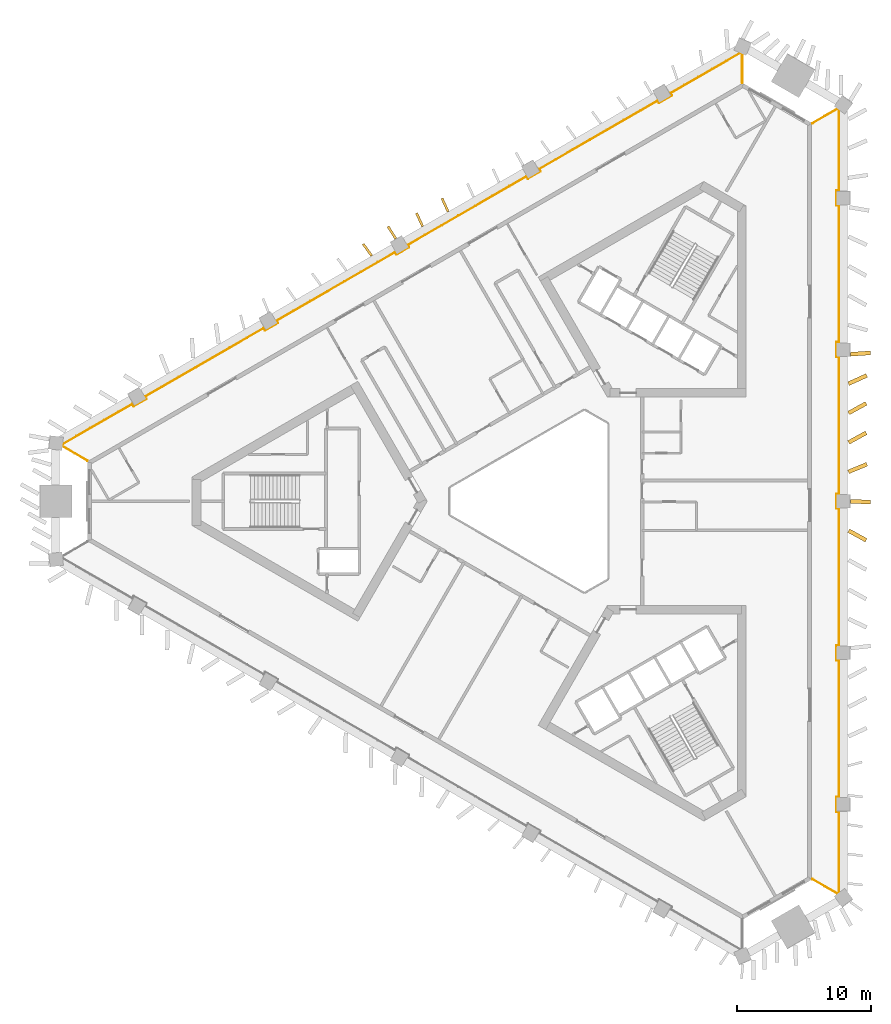
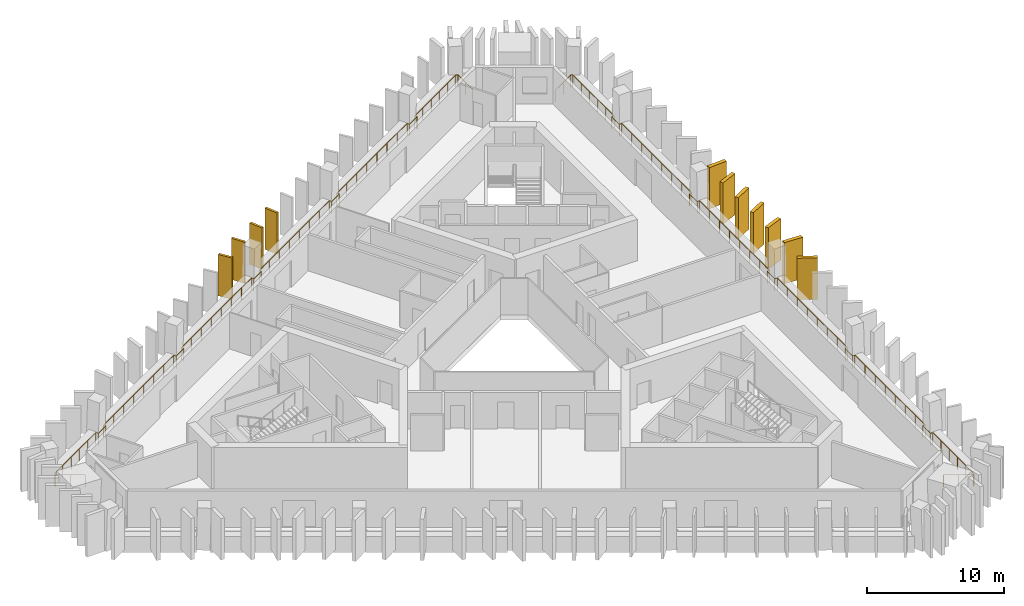
# One storey, part 9 of 10: 11 shading devices, 2 railings.
"""IFC4 building model written with IfcOpenShell, lengths in metres."""

from ifc_helpers import new_model, si_unit, direction, frame, frame_2d, origin, origin_2d, place, context, subcontext, project, spatial, rectangle, circle, extrude, material, layer, layer_set, type_object, element, save


model = new_model("IFC4")

# Units and contexts
model_context = context("Model", 3, precision=1e-05, world=origin(), true_north=direction((0.0, 1.0)))
body_context = subcontext(model_context, "Body", "Model", "MODEL_VIEW")
ifc_project = project(units=[si_unit("LENGTHUNIT", "METRE"), si_unit("AREAUNIT", "SQUARE_METRE"), si_unit("VOLUMEUNIT", "CUBIC_METRE"), si_unit("PLANEANGLEUNIT", "RADIAN"), si_unit("MASSUNIT", "GRAM", prefix="KILO")], contexts=[model_context])

# Site, building, storey
site_placement = place(None, origin())
site = spatial("IfcSite", under=ifc_project, at=site_placement, CompositionType="ELEMENT")
building_placement = place(site_placement, origin())
building = spatial("IfcBuilding", under=site, at=building_placement, Name="Jabali Bay Hotel Tower and Convention Centre", CompositionType="ELEMENT")
storey_placement = place(building_placement, frame((0.0, 0.0, 121.60009765625)))
storey = spatial("IfcBuildingStorey", under=building, at=storey_placement, Name="L29", CompositionType="ELEMENT", Elevation=121.60009765625)

# Railings
ifc_material_1 = material(Name="Glass", Category="glass")
railing_type = type_object("IfcRailingType", Name="Loggia glass guard 1100", PredefinedType="BALUSTRADE", material=ifc_material_1)
railing_1_placement = place(storey_placement, frame((94.8505859375, 108.311767578125, 0.0)))
element("IfcRailing", 1, at=railing_1_placement, inside=storey, type_object=railing_type, Name="Loggia glass guard L29", PredefinedType="BALUSTRADE", context=body_context, shape_type="SweptSolid", body=[
    extrude(circle(Radius=0.02490234375, at=origin_2d()), frame((0.0, 0.0, 1.0751953125), z_axis=(0.866007213464, 0.500031505235, 0.0), x_axis=(-0.495753666391, 0.858598401702, 0.13052619222)), (0.0, 0.0, 1.0), 2.165283203125),
    extrude(circle(Radius=0.02490234375, at=origin_2d()), frame((1.875244140625, 1.082763671875, 1.0751953125), z_axis=(0.800939455023, -0.598745346025, 0.0), x_axis=(0.593622996588, 0.794087306954, 0.13052619222)), (0.0, 0.0, 1.0), 0.15576171875),
    extrude(circle(Radius=0.02490234375, at=origin_2d()), frame((2.0, 0.989501953125, 1.0751953125), z_axis=(0.0, -1.0, 0.0), x_axis=(0.991444861374, 0.0, 0.13052619222)), (0.0, 0.0, 1.0), 6.02490234375),
    extrude(circle(Radius=0.02490234375, at=origin_2d()), frame((2.0, -5.035400390625, 1.0751953125), z_axis=(-1.0, 0.0, 0.0), x_axis=(0.0, -0.991444861374, 0.13052619222)), (0.0, 0.0, 1.0), 0.199951171875),
    extrude(circle(Radius=0.02490234375, at=origin_2d()), frame((1.800048828125, -5.035400390625, 1.0751953125), z_axis=(0.0, -1.0, 0.0), x_axis=(0.991444861374, 0.0, 0.13052619222)), (0.0, 0.0, 1.0), 1.10009765625),
    extrude(circle(Radius=0.02490234375, at=origin_2d()), frame((1.800048828125, -6.135498046875, 1.0751953125), z_axis=(1.0, 0.0, 0.0), x_axis=(0.0, 0.991444861374, 0.13052619222)), (0.0, 0.0, 1.0), 0.199951171875),
    extrude(circle(Radius=0.02490234375, at=origin_2d()), frame((2.0, -6.135498046875, 1.0751953125), z_axis=(0.0, -1.0, 0.0), x_axis=(0.991444861374, 0.0, 0.13052619222)), (0.0, 0.0, 1.0), 10.26318359375),
    extrude(circle(Radius=0.02490234375, at=origin_2d()), frame((2.0, -16.398681640625, 1.0751953125), z_axis=(-1.0, 0.0, 0.0), x_axis=(0.0, -0.991444861374, 0.13052619222)), (0.0, 0.0, 1.0), 0.199951171875),
    extrude(circle(Radius=0.02490234375, at=origin_2d()), frame((1.800048828125, -16.398681640625, 1.0751953125), z_axis=(0.0, -1.0, 0.0), x_axis=(0.991444861374, 0.0, 0.13052619222)), (0.0, 0.0, 1.0), 1.099853515625),
    extrude(circle(Radius=0.02490234375, at=origin_2d()), frame((1.800048828125, -17.49853515625, 1.0751953125), z_axis=(1.0, 0.0, 0.0), x_axis=(0.0, 0.991444861374, 0.13052619222)), (0.0, 0.0, 1.0), 0.199951171875),
    extrude(circle(Radius=0.02490234375, at=origin_2d()), frame((2.0, -17.49853515625, 1.0751953125), z_axis=(0.0, -1.0, 0.0), x_axis=(0.991444861374, 0.0, 0.13052619222)), (0.0, 0.0, 1.0), 10.26318359375),
    extrude(circle(Radius=0.02490234375, at=origin_2d()), frame((2.0, -27.76171875, 1.0751953125), z_axis=(-1.0, 0.0, 0.0), x_axis=(0.0, -0.991444861374, 0.13052619222)), (0.0, 0.0, 1.0), 0.199951171875),
    extrude(circle(Radius=0.02490234375, at=origin_2d()), frame((1.800048828125, -27.76171875, 1.0751953125), z_axis=(0.0, -1.0, 0.0), x_axis=(0.991444861374, 0.0, 0.13052619222)), (0.0, 0.0, 1.0), 1.10009765625),
    extrude(circle(Radius=0.02490234375, at=origin_2d()), frame((1.800048828125, -28.86181640625, 1.0751953125), z_axis=(1.0, 0.0, 0.0), x_axis=(0.0, 0.991444861374, 0.13052619222)), (0.0, 0.0, 1.0), 0.199951171875),
    extrude(circle(Radius=0.02490234375, at=origin_2d()), frame((2.0, -28.86181640625, 1.0751953125), z_axis=(0.0, -1.0, 0.0), x_axis=(0.991444861374, 0.0, 0.13052619222)), (0.0, 0.0, 1.0), 10.26318359375),
    extrude(circle(Radius=0.02490234375, at=origin_2d()), frame((2.0, -39.125, 1.0751953125), z_axis=(-1.0, 0.0, 0.0), x_axis=(0.0, -0.991444861374, 0.13052619222)), (0.0, 0.0, 1.0), 0.199951171875),
    extrude(circle(Radius=0.02490234375, at=origin_2d()), frame((1.800048828125, -39.125, 1.0751953125), z_axis=(0.0, -1.0, 0.0), x_axis=(0.991444861374, 0.0, 0.13052619222)), (0.0, 0.0, 1.0), 1.099853515625),
    extrude(circle(Radius=0.02490234375, at=origin_2d()), frame((1.800048828125, -40.224853515625, 1.0751953125), z_axis=(1.0, 0.0, 0.0), x_axis=(0.0, 0.991444861374, 0.13052619222)), (0.0, 0.0, 1.0), 0.199951171875),
    extrude(circle(Radius=0.02490234375, at=origin_2d()), frame((2.0, -40.224853515625, 1.0751953125), z_axis=(0.0, -1.0, 0.0), x_axis=(0.991444861374, 0.0, 0.13052619222)), (0.0, 0.0, 1.0), 10.26318359375),
    extrude(circle(Radius=0.02490234375, at=origin_2d()), frame((2.0, -50.488037109375, 1.0751953125), z_axis=(-1.0, 0.0, 0.0), x_axis=(0.0, -0.991444861374, 0.13052619222)), (0.0, 0.0, 1.0), 0.199951171875),
    extrude(circle(Radius=0.02490234375, at=origin_2d()), frame((1.800048828125, -50.488037109375, 1.0751953125), z_axis=(0.0, -1.0, 0.0), x_axis=(0.991444861374, 0.0, 0.13052619222)), (0.0, 0.0, 1.0), 1.10009765625),
    extrude(circle(Radius=0.02490234375, at=origin_2d()), frame((1.800048828125, -51.588134765625, 1.0751953125), z_axis=(1.0, 0.0, 0.0), x_axis=(0.0, 0.991444861374, 0.13052619222)), (0.0, 0.0, 1.0), 0.199951171875),
    extrude(circle(Radius=0.02490234375, at=origin_2d()), frame((2.0, -51.588134765625, 1.0751953125), z_axis=(0.0, -1.0, 0.0), x_axis=(0.991444861374, 0.0, 0.13052619222)), (0.0, 0.0, 1.0), 6.02490234375),
    extrude(circle(Radius=0.02490234375, at=origin_2d()), frame((2.0, -57.613037109375, 1.0751953125), z_axis=(-0.800939455023, -0.598745346025, 0.0), x_axis=(0.593622996588, -0.794087306954, 0.13052619222)), (0.0, 0.0, 1.0), 0.15576171875),
    extrude(circle(Radius=0.02490234375, at=origin_2d()), frame((1.875244140625, -57.706298828125, 1.0751953125), z_axis=(-0.866007213464, 0.500031505235, 0.0), x_axis=(-0.495753666391, -0.858598401702, 0.13052619222)), (0.0, 0.0, 1.0), 2.165283203125),
    extrude(circle(Radius=0.02001953125, at=origin_2d()), origin(), (0.0, 0.0, 1.0), 1.050048828125),
    extrude(circle(Radius=0.02001953125, at=origin_2d()), frame((0.9375, 0.54150390625, 0.0)), (0.0, 0.0, 1.0), 1.050048828125),
    extrude(circle(Radius=0.02001953125, at=origin_2d()), frame((1.875244140625, 1.082763671875, 0.0)), (0.0, 0.0, 1.0), 1.050048828125),
    extrude(circle(Radius=0.02001953125, at=origin_2d()), frame((2.0, 0.989501953125, 0.0)), (0.0, 0.0, 1.0), 1.050048828125),
    extrude(circle(Radius=0.02001953125, at=origin_2d()), frame((2.0, -0.215576171875, 0.0)), (0.0, 0.0, 1.0), 1.050048828125),
    extrude(circle(Radius=0.02001953125, at=origin_2d()), frame((2.0, -1.42041015625, 0.0)), (0.0, 0.0, 1.0), 1.050048828125),
    extrude(circle(Radius=0.02001953125, at=origin_2d()), frame((2.0, -2.62548828125, 0.0)), (0.0, 0.0, 1.0), 1.050048828125),
    extrude(circle(Radius=0.02001953125, at=origin_2d()), frame((2.0, -3.830322265625, 0.0)), (0.0, 0.0, 1.0), 1.050048828125),
    extrude(circle(Radius=0.02001953125, at=origin_2d()), frame((2.0, -5.035400390625, 0.0)), (0.0, 0.0, 1.0), 1.050048828125),
    extrude(circle(Radius=0.02001953125, at=origin_2d()), frame((1.800048828125, -5.035400390625, 0.0)), (0.0, 0.0, 1.0), 1.050048828125),
    extrude(circle(Radius=0.02001953125, at=origin_2d()), frame((1.800048828125, -6.135498046875, 0.0)), (0.0, 0.0, 1.0), 1.050048828125),
    extrude(circle(Radius=0.02001953125, at=origin_2d()), frame((2.0, -6.135498046875, 0.0)), (0.0, 0.0, 1.0), 1.050048828125),
    extrude(circle(Radius=0.02001953125, at=origin_2d()), frame((2.0, -7.6015625, 0.0)), (0.0, 0.0, 1.0), 1.050048828125),
    extrude(circle(Radius=0.02001953125, at=origin_2d()), frame((2.0, -9.06787109375, 0.0)), (0.0, 0.0, 1.0), 1.050048828125),
    extrude(circle(Radius=0.02001953125, at=origin_2d()), frame((2.0, -10.533935546875, 0.0)), (0.0, 0.0, 1.0), 1.050048828125),
    extrude(circle(Radius=0.02001953125, at=origin_2d()), frame((2.0, -12.000244140625, 0.0)), (0.0, 0.0, 1.0), 1.050048828125),
    extrude(circle(Radius=0.02001953125, at=origin_2d()), frame((2.0, -13.46630859375, 0.0)), (0.0, 0.0, 1.0), 1.050048828125),
    extrude(circle(Radius=0.02001953125, at=origin_2d()), frame((2.0, -14.9326171875, 0.0)), (0.0, 0.0, 1.0), 1.050048828125),
    extrude(circle(Radius=0.02001953125, at=origin_2d()), frame((2.0, -16.398681640625, 0.0)), (0.0, 0.0, 1.0), 1.050048828125),
    extrude(circle(Radius=0.02001953125, at=origin_2d()), frame((1.800048828125, -16.398681640625, 0.0)), (0.0, 0.0, 1.0), 1.050048828125),
    extrude(circle(Radius=0.02001953125, at=origin_2d()), frame((1.800048828125, -17.49853515625, 0.0)), (0.0, 0.0, 1.0), 1.050048828125),
    extrude(circle(Radius=0.02001953125, at=origin_2d()), frame((2.0, -17.49853515625, 0.0)), (0.0, 0.0, 1.0), 1.050048828125),
    extrude(circle(Radius=0.02001953125, at=origin_2d()), frame((2.0, -18.964599609375, 0.0)), (0.0, 0.0, 1.0), 1.050048828125),
    extrude(circle(Radius=0.02001953125, at=origin_2d()), frame((2.0, -20.430908203125, 0.0)), (0.0, 0.0, 1.0), 1.050048828125),
    extrude(circle(Radius=0.02001953125, at=origin_2d()), frame((2.0, -21.89697265625, 0.0)), (0.0, 0.0, 1.0), 1.050048828125),
    extrude(circle(Radius=0.02001953125, at=origin_2d()), frame((2.0, -23.36328125, 0.0)), (0.0, 0.0, 1.0), 1.050048828125),
    extrude(circle(Radius=0.02001953125, at=origin_2d()), frame((2.0, -24.829345703125, 0.0)), (0.0, 0.0, 1.0), 1.050048828125),
    extrude(circle(Radius=0.02001953125, at=origin_2d()), frame((2.0, -26.295654296875, 0.0)), (0.0, 0.0, 1.0), 1.050048828125),
    extrude(circle(Radius=0.02001953125, at=origin_2d()), frame((2.0, -27.76171875, 0.0)), (0.0, 0.0, 1.0), 1.050048828125),
    extrude(circle(Radius=0.02001953125, at=origin_2d()), frame((1.800048828125, -27.76171875, 0.0)), (0.0, 0.0, 1.0), 1.050048828125),
    extrude(circle(Radius=0.02001953125, at=origin_2d()), frame((1.800048828125, -28.86181640625, 0.0)), (0.0, 0.0, 1.0), 1.050048828125),
    extrude(circle(Radius=0.02001953125, at=origin_2d()), frame((2.0, -28.86181640625, 0.0)), (0.0, 0.0, 1.0), 1.050048828125),
    extrude(circle(Radius=0.02001953125, at=origin_2d()), frame((2.0, -30.327880859375, 0.0)), (0.0, 0.0, 1.0), 1.050048828125),
    extrude(circle(Radius=0.02001953125, at=origin_2d()), frame((2.0, -31.794189453125, 0.0)), (0.0, 0.0, 1.0), 1.050048828125),
    extrude(circle(Radius=0.02001953125, at=origin_2d()), frame((2.0, -33.26025390625, 0.0)), (0.0, 0.0, 1.0), 1.050048828125),
    extrude(circle(Radius=0.02001953125, at=origin_2d()), frame((2.0, -34.7265625, 0.0)), (0.0, 0.0, 1.0), 1.050048828125),
    extrude(circle(Radius=0.02001953125, at=origin_2d()), frame((2.0, -36.192626953125, 0.0)), (0.0, 0.0, 1.0), 1.050048828125),
    extrude(circle(Radius=0.02001953125, at=origin_2d()), frame((2.0, -37.658935546875, 0.0)), (0.0, 0.0, 1.0), 1.050048828125),
    extrude(circle(Radius=0.02001953125, at=origin_2d()), frame((2.0, -39.125, 0.0)), (0.0, 0.0, 1.0), 1.050048828125),
    extrude(circle(Radius=0.02001953125, at=origin_2d()), frame((1.800048828125, -39.125, 0.0)), (0.0, 0.0, 1.0), 1.050048828125),
    extrude(circle(Radius=0.02001953125, at=origin_2d()), frame((1.800048828125, -40.224853515625, 0.0)), (0.0, 0.0, 1.0), 1.050048828125),
    extrude(circle(Radius=0.02001953125, at=origin_2d()), frame((2.0, -40.224853515625, 0.0)), (0.0, 0.0, 1.0), 1.050048828125),
    extrude(circle(Radius=0.02001953125, at=origin_2d()), frame((2.0, -41.69091796875, 0.0)), (0.0, 0.0, 1.0), 1.050048828125),
    extrude(circle(Radius=0.02001953125, at=origin_2d()), frame((2.0, -43.1572265625, 0.0)), (0.0, 0.0, 1.0), 1.050048828125),
    extrude(circle(Radius=0.02001953125, at=origin_2d()), frame((2.0, -44.623291015625, 0.0)), (0.0, 0.0, 1.0), 1.050048828125),
    extrude(circle(Radius=0.02001953125, at=origin_2d()), frame((2.0, -46.089599609375, 0.0)), (0.0, 0.0, 1.0), 1.050048828125),
    extrude(circle(Radius=0.02001953125, at=origin_2d()), frame((2.0, -47.5556640625, 0.0)), (0.0, 0.0, 1.0), 1.050048828125),
    extrude(circle(Radius=0.02001953125, at=origin_2d()), frame((2.0, -49.02197265625, 0.0)), (0.0, 0.0, 1.0), 1.050048828125),
    extrude(circle(Radius=0.02001953125, at=origin_2d()), frame((2.0, -50.488037109375, 0.0)), (0.0, 0.0, 1.0), 1.050048828125),
    extrude(circle(Radius=0.02001953125, at=origin_2d()), frame((1.800048828125, -50.488037109375, 0.0)), (0.0, 0.0, 1.0), 1.050048828125),
    extrude(circle(Radius=0.02001953125, at=origin_2d()), frame((1.800048828125, -51.588134765625, 0.0)), (0.0, 0.0, 1.0), 1.050048828125),
    extrude(circle(Radius=0.02001953125, at=origin_2d()), frame((2.0, -51.588134765625, 0.0)), (0.0, 0.0, 1.0), 1.050048828125),
    extrude(circle(Radius=0.02001953125, at=origin_2d()), frame((2.0, -52.793212890625, 0.0)), (0.0, 0.0, 1.0), 1.050048828125),
    extrude(circle(Radius=0.02001953125, at=origin_2d()), frame((2.0, -53.998046875, 0.0)), (0.0, 0.0, 1.0), 1.050048828125),
    extrude(circle(Radius=0.02001953125, at=origin_2d()), frame((2.0, -55.203125, 0.0)), (0.0, 0.0, 1.0), 1.050048828125),
    extrude(circle(Radius=0.02001953125, at=origin_2d()), frame((2.0, -56.407958984375, 0.0)), (0.0, 0.0, 1.0), 1.050048828125),
    extrude(circle(Radius=0.02001953125, at=origin_2d()), frame((2.0, -57.613037109375, 0.0)), (0.0, 0.0, 1.0), 1.050048828125),
    extrude(circle(Radius=0.02001953125, at=origin_2d()), frame((1.875244140625, -57.706298828125, 0.0)), (0.0, 0.0, 1.0), 1.050048828125),
    extrude(circle(Radius=0.02001953125, at=origin_2d()), frame((0.9375, -57.1650390625, 0.0)), (0.0, 0.0, 1.0), 1.050048828125),
    extrude(circle(Radius=0.02001953125, at=origin_2d()), frame((0.0, -56.62353515625, 0.0)), (0.0, 0.0, 1.0), 1.050048828125),
])
railing_2_placement = place(storey_placement, frame((40.555908203125, 83.035400390625, 0.0)))
element("IfcRailing", 2, at=railing_2_placement, inside=storey, type_object=railing_type, Name="Loggia glass guard L29", PredefinedType="BALUSTRADE", context=body_context, shape_type="SweptSolid", body=[
    extrude(circle(Radius=0.02490234375, at=origin_2d()), frame((0.0, 0.0, 1.0751953125), z_axis=(-0.866056034881, 0.49994694163, 0.0), x_axis=(-0.495669826239, -0.858646805445, 0.13052619222)), (0.0, 0.0, 1.0), 2.165283203125),
    extrude(circle(Radius=0.02490234375, at=origin_2d()), frame((-1.875244140625, 1.08251953125, 1.0751953125), z_axis=(0.117477392411, 0.993075557182, 0.0), x_axis=(-0.984579658124, 0.116472357034, 0.13052619222)), (0.0, 0.0, 1.0), 0.15576171875),
    extrude(circle(Radius=0.02490234375, at=origin_2d()), frame((-1.85693359375, 1.2373046875, 1.0751953125), z_axis=(0.866027683981, 0.499996050563, 0.0), x_axis=(-0.495718515038, 0.85861869709, 0.13052619222)), (0.0, 0.0, 1.0), 6.02490234375),
    extrude(circle(Radius=0.02490234375, at=origin_2d()), frame((3.36083984375, 4.249755859375, 1.0751953125), z_axis=(0.500074377092, -0.865982457891, 0.0), x_axis=(0.858573857916, 0.495796171473, 0.13052619222)), (0.0, 0.0, 1.0), 0.2001953125),
    extrude(circle(Radius=0.02490234375, at=origin_2d()), frame((3.4609375, 4.076416015625, 1.0751953125), z_axis=(0.866008176907, 0.50002983664, 0.0), x_axis=(-0.495752012071, 0.858599356902, 0.13052619222)), (0.0, 0.0, 1.0), 1.10009765625),
    extrude(circle(Radius=0.02490234375, at=origin_2d()), frame((4.41357421875, 4.62646484375, 1.0751953125), z_axis=(-0.500603037456, 0.865676959893, 0.0), x_axis=(-0.858270973496, -0.496320309074, 0.13052619222)), (0.0, 0.0, 1.0), 0.199951171875),
    extrude(circle(Radius=0.02490234375, at=origin_2d()), frame((4.3134765625, 4.799560546875, 1.0751953125), z_axis=(0.866025546963, 0.499999752008, 0.0), x_axis=(-0.495722184817, 0.858616578354, 0.13052619222)), (0.0, 0.0, 1.0), 10.26318359375),
    extrude(circle(Radius=0.02490234375, at=origin_2d()), frame((13.20166015625, 9.93115234375, 1.0751953125), z_axis=(0.500603037456, -0.865676959893, 0.0), x_axis=(0.858270973496, 0.496320309074, 0.13052619222)), (0.0, 0.0, 1.0), 0.199951171875),
    extrude(circle(Radius=0.02490234375, at=origin_2d()), frame((13.3017578125, 9.758056640625, 1.0751953125), z_axis=(0.865952669392, 0.500125958508, 0.0), x_axis=(-0.495847311602, 0.858544324261, 0.13052619222)), (0.0, 0.0, 1.0), 1.099853515625),
    extrude(circle(Radius=0.02490234375, at=origin_2d()), frame((14.254150390625, 10.30810546875, 1.0751953125), z_axis=(-0.499687197852, 0.866205924883, 0.0), x_axis=(-0.858795413117, -0.495412304605, 0.13052619222)), (0.0, 0.0, 1.0), 0.199951171875),
    extrude(circle(Radius=0.02490234375, at=origin_2d()), frame((14.154296875, 10.481201171875, 1.0751953125), z_axis=(0.866025546963, 0.499999752008, 0.0), x_axis=(-0.495722184817, 0.858616578354, 0.13052619222)), (0.0, 0.0, 1.0), 10.26318359375),
    extrude(circle(Radius=0.02490234375, at=origin_2d()), frame((23.04248046875, 15.61279296875, 1.0751953125), z_axis=(0.499687197852, -0.866205924883, 0.0), x_axis=(0.858795413117, 0.495412304605, 0.13052619222)), (0.0, 0.0, 1.0), 0.199951171875),
    extrude(circle(Radius=0.02490234375, at=origin_2d()), frame((23.142333984375, 15.439697265625, 1.0751953125), z_axis=(0.866008176907, 0.50002983664, 0.0), x_axis=(-0.495752012071, 0.858599356902, 0.13052619222)), (0.0, 0.0, 1.0), 1.10009765625),
    extrude(circle(Radius=0.02490234375, at=origin_2d()), frame((24.094970703125, 15.98974609375, 1.0751953125), z_axis=(-0.499687197852, 0.866205924883, 0.0), x_axis=(-0.858795413117, -0.495412304605, 0.13052619222)), (0.0, 0.0, 1.0), 0.199951171875),
    extrude(circle(Radius=0.02490234375, at=origin_2d()), frame((23.9951171875, 16.162841796875, 1.0751953125), z_axis=(0.866025546963, 0.499999752008, 0.0), x_axis=(-0.495722184817, 0.858616578354, 0.13052619222)), (0.0, 0.0, 1.0), 10.26318359375),
    extrude(circle(Radius=0.02490234375, at=origin_2d()), frame((32.88330078125, 21.29443359375, 1.0751953125), z_axis=(0.499687197852, -0.866205924883, 0.0), x_axis=(0.858795413117, 0.495412304605, 0.13052619222)), (0.0, 0.0, 1.0), 0.199951171875),
    extrude(circle(Radius=0.02490234375, at=origin_2d()), frame((32.983154296875, 21.121337890625, 1.0751953125), z_axis=(0.866104278045, 0.499863360881, 0.0), x_axis=(-0.495586960535, 0.858694635882, 0.13052619222)), (0.0, 0.0, 1.0), 1.099853515625),
    extrude(circle(Radius=0.02490234375, at=origin_2d()), frame((33.935791015625, 21.671142578125, 1.0751953125), z_axis=(-0.499158860599, 0.866510491504, 0.0), x_axis=(-0.859097374128, -0.49488848735, 0.13052619222)), (0.0, 0.0, 1.0), 0.199951171875),
    extrude(circle(Radius=0.02490234375, at=origin_2d()), frame((33.8359375, 21.844482421875, 1.0751953125), z_axis=(0.866025546963, 0.499999752008, 0.0), x_axis=(-0.495722184817, 0.858616578354, 0.13052619222)), (0.0, 0.0, 1.0), 10.26318359375),
    extrude(circle(Radius=0.02490234375, at=origin_2d()), frame((42.72412109375, 26.97607421875, 1.0751953125), z_axis=(0.499158860599, -0.866510491504, 0.0), x_axis=(0.859097374128, 0.49488848735, 0.13052619222)), (0.0, 0.0, 1.0), 0.199951171875),
    extrude(circle(Radius=0.02490234375, at=origin_2d()), frame((42.823974609375, 26.802734375, 1.0751953125), z_axis=(0.866008176907, 0.50002983664, 0.0), x_axis=(-0.495752012071, 0.858599356902, 0.13052619222)), (0.0, 0.0, 1.0), 1.10009765625),
    extrude(circle(Radius=0.02490234375, at=origin_2d()), frame((43.776611328125, 27.352783203125, 1.0751953125), z_axis=(-0.499158860599, 0.866510491504, 0.0), x_axis=(-0.859097374128, -0.49488848735, 0.13052619222)), (0.0, 0.0, 1.0), 0.199951171875),
    extrude(circle(Radius=0.02490234375, at=origin_2d()), frame((43.6767578125, 27.526123046875, 1.0751953125), z_axis=(0.866017553207, 0.500013597353, 0.0), x_axis=(-0.495735911712, 0.858608652987, 0.13052619222)), (0.0, 0.0, 1.0), 6.024658203125),
    extrude(circle(Radius=0.02490234375, at=origin_2d()), frame((48.894287109375, 30.53857421875, 1.0751953125), z_axis=(0.918901945155, -0.394486013934, 0.0), x_axis=(0.391111131399, 0.911040611631, 0.13052619222)), (0.0, 0.0, 1.0), 0.156005859375),
    extrude(circle(Radius=0.02490234375, at=origin_2d()), frame((49.03759765625, 30.47705078125, 1.0751953125), z_axis=(0.0, -1.0, 0.0), x_axis=(0.991444861374, 0.0, 0.13052619222)), (0.0, 0.0, 1.0), 2.165283203125),
    extrude(circle(Radius=0.02001953125, at=origin_2d()), origin(), (0.0, 0.0, 1.0), 1.050048828125),
    extrude(circle(Radius=0.02001953125, at=origin_2d()), frame((-0.9375, 0.541259765625, 0.0)), (0.0, 0.0, 1.0), 1.050048828125),
    extrude(circle(Radius=0.02001953125, at=origin_2d()), frame((-1.875244140625, 1.08251953125, 0.0)), (0.0, 0.0, 1.0), 1.050048828125),
    extrude(circle(Radius=0.02001953125, at=origin_2d()), frame((-1.85693359375, 1.2373046875, 0.0)), (0.0, 0.0, 1.0), 1.050048828125),
    extrude(circle(Radius=0.02001953125, at=origin_2d()), frame((-0.8134765625, 1.83984375, 0.0)), (0.0, 0.0, 1.0), 1.050048828125),
    extrude(circle(Radius=0.02001953125, at=origin_2d()), frame((0.230224609375, 2.4423828125, 0.0)), (0.0, 0.0, 1.0), 1.050048828125),
    extrude(circle(Radius=0.02001953125, at=origin_2d()), frame((1.273681640625, 3.044677734375, 0.0)), (0.0, 0.0, 1.0), 1.050048828125),
    extrude(circle(Radius=0.02001953125, at=origin_2d()), frame((2.3173828125, 3.647216796875, 0.0)), (0.0, 0.0, 1.0), 1.050048828125),
    extrude(circle(Radius=0.02001953125, at=origin_2d()), frame((3.36083984375, 4.249755859375, 0.0)), (0.0, 0.0, 1.0), 1.050048828125),
    extrude(circle(Radius=0.02001953125, at=origin_2d()), frame((3.4609375, 4.076416015625, 0.0)), (0.0, 0.0, 1.0), 1.050048828125),
    extrude(circle(Radius=0.02001953125, at=origin_2d()), frame((4.41357421875, 4.62646484375, 0.0)), (0.0, 0.0, 1.0), 1.050048828125),
    extrude(circle(Radius=0.02001953125, at=origin_2d()), frame((4.3134765625, 4.799560546875, 0.0)), (0.0, 0.0, 1.0), 1.050048828125),
    extrude(circle(Radius=0.02001953125, at=origin_2d()), frame((5.583251953125, 5.53271484375, 0.0)), (0.0, 0.0, 1.0), 1.050048828125),
    extrude(circle(Radius=0.02001953125, at=origin_2d()), frame((6.85302734375, 6.265625, 0.0)), (0.0, 0.0, 1.0), 1.050048828125),
    extrude(circle(Radius=0.02001953125, at=origin_2d()), frame((8.122802734375, 6.998779296875, 0.0)), (0.0, 0.0, 1.0), 1.050048828125),
    extrude(circle(Radius=0.02001953125, at=origin_2d()), frame((9.392333984375, 7.73193359375, 0.0)), (0.0, 0.0, 1.0), 1.050048828125),
    extrude(circle(Radius=0.02001953125, at=origin_2d()), frame((10.662109375, 8.465087890625, 0.0)), (0.0, 0.0, 1.0), 1.050048828125),
    extrude(circle(Radius=0.02001953125, at=origin_2d()), frame((11.931884765625, 9.197998046875, 0.0)), (0.0, 0.0, 1.0), 1.050048828125),
    extrude(circle(Radius=0.02001953125, at=origin_2d()), frame((13.20166015625, 9.93115234375, 0.0)), (0.0, 0.0, 1.0), 1.050048828125),
    extrude(circle(Radius=0.02001953125, at=origin_2d()), frame((13.3017578125, 9.758056640625, 0.0)), (0.0, 0.0, 1.0), 1.050048828125),
    extrude(circle(Radius=0.02001953125, at=origin_2d()), frame((14.254150390625, 10.30810546875, 0.0)), (0.0, 0.0, 1.0), 1.050048828125),
    extrude(circle(Radius=0.02001953125, at=origin_2d()), frame((14.154296875, 10.481201171875, 0.0)), (0.0, 0.0, 1.0), 1.050048828125),
    extrude(circle(Radius=0.02001953125, at=origin_2d()), frame((15.424072265625, 11.21435546875, 0.0)), (0.0, 0.0, 1.0), 1.050048828125),
    extrude(circle(Radius=0.02001953125, at=origin_2d()), frame((16.69384765625, 11.947265625, 0.0)), (0.0, 0.0, 1.0), 1.050048828125),
    extrude(circle(Radius=0.02001953125, at=origin_2d()), frame((17.963623046875, 12.680419921875, 0.0)), (0.0, 0.0, 1.0), 1.050048828125),
    extrude(circle(Radius=0.02001953125, at=origin_2d()), frame((19.233154296875, 13.41357421875, 0.0)), (0.0, 0.0, 1.0), 1.050048828125),
    extrude(circle(Radius=0.02001953125, at=origin_2d()), frame((20.5029296875, 14.146728515625, 0.0)), (0.0, 0.0, 1.0), 1.050048828125),
    extrude(circle(Radius=0.02001953125, at=origin_2d()), frame((21.772705078125, 14.879638671875, 0.0)), (0.0, 0.0, 1.0), 1.050048828125),
    extrude(circle(Radius=0.02001953125, at=origin_2d()), frame((23.04248046875, 15.61279296875, 0.0)), (0.0, 0.0, 1.0), 1.050048828125),
    extrude(circle(Radius=0.02001953125, at=origin_2d()), frame((23.142333984375, 15.439697265625, 0.0)), (0.0, 0.0, 1.0), 1.050048828125),
    extrude(circle(Radius=0.02001953125, at=origin_2d()), frame((24.094970703125, 15.98974609375, 0.0)), (0.0, 0.0, 1.0), 1.050048828125),
    extrude(circle(Radius=0.02001953125, at=origin_2d()), frame((23.9951171875, 16.162841796875, 0.0)), (0.0, 0.0, 1.0), 1.050048828125),
    extrude(circle(Radius=0.02001953125, at=origin_2d()), frame((25.264892578125, 16.89599609375, 0.0)), (0.0, 0.0, 1.0), 1.050048828125),
    extrude(circle(Radius=0.02001953125, at=origin_2d()), frame((26.53466796875, 17.62890625, 0.0)), (0.0, 0.0, 1.0), 1.050048828125),
    extrude(circle(Radius=0.02001953125, at=origin_2d()), frame((27.804443359375, 18.362060546875, 0.0)), (0.0, 0.0, 1.0), 1.050048828125),
    extrude(circle(Radius=0.02001953125, at=origin_2d()), frame((29.073974609375, 19.09521484375, 0.0)), (0.0, 0.0, 1.0), 1.050048828125),
    extrude(circle(Radius=0.02001953125, at=origin_2d()), frame((30.34375, 19.828369140625, 0.0)), (0.0, 0.0, 1.0), 1.050048828125),
    extrude(circle(Radius=0.02001953125, at=origin_2d()), frame((31.613525390625, 20.561279296875, 0.0)), (0.0, 0.0, 1.0), 1.050048828125),
    extrude(circle(Radius=0.02001953125, at=origin_2d()), frame((32.88330078125, 21.29443359375, 0.0)), (0.0, 0.0, 1.0), 1.050048828125),
    extrude(circle(Radius=0.02001953125, at=origin_2d()), frame((32.983154296875, 21.121337890625, 0.0)), (0.0, 0.0, 1.0), 1.050048828125),
    extrude(circle(Radius=0.02001953125, at=origin_2d()), frame((33.935791015625, 21.671142578125, 0.0)), (0.0, 0.0, 1.0), 1.050048828125),
    extrude(circle(Radius=0.02001953125, at=origin_2d()), frame((33.8359375, 21.844482421875, 0.0)), (0.0, 0.0, 1.0), 1.050048828125),
    extrude(circle(Radius=0.02001953125, at=origin_2d()), frame((35.105712890625, 22.57763671875, 0.0)), (0.0, 0.0, 1.0), 1.050048828125),
    extrude(circle(Radius=0.02001953125, at=origin_2d()), frame((36.37548828125, 23.310546875, 0.0)), (0.0, 0.0, 1.0), 1.050048828125),
    extrude(circle(Radius=0.02001953125, at=origin_2d()), frame((37.645263671875, 24.043701171875, 0.0)), (0.0, 0.0, 1.0), 1.050048828125),
    extrude(circle(Radius=0.02001953125, at=origin_2d()), frame((38.914794921875, 24.77685546875, 0.0)), (0.0, 0.0, 1.0), 1.050048828125),
    extrude(circle(Radius=0.02001953125, at=origin_2d()), frame((40.1845703125, 25.510009765625, 0.0)), (0.0, 0.0, 1.0), 1.050048828125),
    extrude(circle(Radius=0.02001953125, at=origin_2d()), frame((41.454345703125, 26.242919921875, 0.0)), (0.0, 0.0, 1.0), 1.050048828125),
    extrude(circle(Radius=0.02001953125, at=origin_2d()), frame((42.72412109375, 26.97607421875, 0.0)), (0.0, 0.0, 1.0), 1.050048828125),
    extrude(circle(Radius=0.02001953125, at=origin_2d()), frame((42.823974609375, 26.802734375, 0.0)), (0.0, 0.0, 1.0), 1.050048828125),
    extrude(circle(Radius=0.02001953125, at=origin_2d()), frame((43.776611328125, 27.352783203125, 0.0)), (0.0, 0.0, 1.0), 1.050048828125),
    extrude(circle(Radius=0.02001953125, at=origin_2d()), frame((43.6767578125, 27.526123046875, 0.0)), (0.0, 0.0, 1.0), 1.050048828125),
    extrude(circle(Radius=0.02001953125, at=origin_2d()), frame((44.72021484375, 28.128662109375, 0.0)), (0.0, 0.0, 1.0), 1.050048828125),
    extrude(circle(Radius=0.02001953125, at=origin_2d()), frame((45.763671875, 28.731201171875, 0.0)), (0.0, 0.0, 1.0), 1.050048828125),
    extrude(circle(Radius=0.02001953125, at=origin_2d()), frame((46.807373046875, 29.33349609375, 0.0)), (0.0, 0.0, 1.0), 1.050048828125),
    extrude(circle(Radius=0.02001953125, at=origin_2d()), frame((47.850830078125, 29.93603515625, 0.0)), (0.0, 0.0, 1.0), 1.050048828125),
    extrude(circle(Radius=0.02001953125, at=origin_2d()), frame((48.894287109375, 30.53857421875, 0.0)), (0.0, 0.0, 1.0), 1.050048828125),
    extrude(circle(Radius=0.02001953125, at=origin_2d()), frame((49.03759765625, 30.47705078125, 0.0)), (0.0, 0.0, 1.0), 1.050048828125),
    extrude(circle(Radius=0.02001953125, at=origin_2d()), frame((49.03759765625, 29.39453125, 0.0)), (0.0, 0.0, 1.0), 1.050048828125),
    extrude(circle(Radius=0.02001953125, at=origin_2d()), frame((49.03759765625, 28.311767578125, 0.0)), (0.0, 0.0, 1.0), 1.050048828125),
])

# Shading devices
ifc_material_2 = material(Name="Precast concrete C60", Category="concrete")
ifc_layer_1 = layer(ifc_material_2, 0.179931640625)
ifc_layer_set_1 = layer_set([ifc_layer_1], Name="Precast concrete C60")
shading_device_type_1 = type_object("IfcShadingDeviceType", Name="Precast fin 3680 x 1100", PredefinedType="USERDEFINED", material=ifc_layer_set_1)
for number, where, z_axis, x_axis, name in (
    (3, (67.562744140625, 101.689453125, 0.010009765625), (0.0, 0.0, 1.0), (-0.409903233535, 0.912129014525, 0.0), "Fin L29 046"),
    (4, (65.656005859375, 100.587890625, 0.010009765625), (0.0, 0.0, 1.0), (-0.415691573952, 0.909505643383, 0.0), "Fin L29 047"),
    (5, (63.64794921875, 99.662353515625, 0.010009765625), (0.0, 0.0, 1.0), (-0.535036242613, 0.844829106441, 0.0), "Fin L29 048"),
):
    element("IfcShadingDevice", number, at=place(storey_placement, frame(where, z_axis=z_axis, x_axis=x_axis)), inside=storey, type_object=shading_device_type_1, Name=name, ObjectType="FIN", PredefinedType="USERDEFINED", context=body_context, shape_type="SweptSolid", body=[
        extrude(rectangle(XDim=1.10009765625, YDim=0.179931640625, at=frame_2d((0.550048828125, 0.0))), origin(), (0.0, 0.0, 1.0), 3.679931640625),
    ])
shading_device_placement = place(storey_placement, frame((61.841796875, 98.38671875, 0.010009765625), z_axis=(0.0, 0.0, 1.0), x_axis=(-0.586057772305, 0.810269268528, 0.0)))
element("IfcShadingDevice", 6, at=shading_device_placement, inside=storey, type_object=shading_device_type_1, Name="Fin L29 049", ObjectType="FIN", PredefinedType="USERDEFINED", context=body_context, shape_type="SweptSolid", body=[
    extrude(rectangle(XDim=1.099853515625, YDim=0.179931640625, at=frame_2d((0.5498046875, 0.0))), origin(), (0.0, 0.0, 1.0), 3.679931640625),
])
ifc_layer_2 = layer(ifc_material_2, 0.300048828125)
ifc_layer_set_2 = layer_set([ifc_layer_2], Name="Precast concrete C60")
shading_device_type_2 = type_object("IfcShadingDeviceType", Name="Precast fin 3680 x 1500", PredefinedType="USERDEFINED", material=ifc_layer_set_2)
for number, where, z_axis, x_axis, name in (
    (7, (97.5654296875, 77.798095703125, 0.010009765625), (0.0, 0.0, 1.0), (0.876016513422, -0.482281109117, 0.0), "Fin L29 012"),
    (8, (97.70751953125, 80.0, 0.010009765625), (0.0, 0.0, 1.0), (0.998923421484, -0.046389632577, 0.0), "Fin L29 013"),
    (9, (97.55029296875, 82.201904296875, 0.010009765625), (0.0, 0.0, 1.0), (0.924300123475, 0.381666453522, 0.0), "Fin L29 014"),
    (10, (97.5654296875, 84.40380859375, 0.010009765625), (0.0, 0.0, 1.0), (0.875947742748, 0.482406003253, 0.0), "Fin L29 015"),
    (11, (97.5654296875, 86.60595703125, 0.010009765625), (0.0, 0.0, 1.0), (0.876016513422, 0.482281109117, 0.0), "Fin L29 016"),
    (12, (97.554443359375, 88.807861328125, 0.010009765625), (0.0, 0.0, 1.0), (0.912599384809, 0.408854941081, 0.0), "Fin L29 017"),
    (13, (97.7109375, 91.009765625, 0.010009765625), (0.0, 0.0, 1.0), (0.997615666195, 0.069014364899, 0.0), "Fin L29 018"),
):
    element("IfcShadingDevice", number, at=place(storey_placement, frame(where, z_axis=z_axis, x_axis=x_axis)), inside=storey, type_object=shading_device_type_2, Name=name, ObjectType="FIN", PredefinedType="USERDEFINED", context=body_context, shape_type="SweptSolid", body=[
        extrude(rectangle(XDim=1.5, YDim=0.300048828125, at=frame_2d((0.75, 0.0))), origin(), (0.0, 0.0, 1.0), 3.679931640625),
    ])

save(model, "model.ifc")
